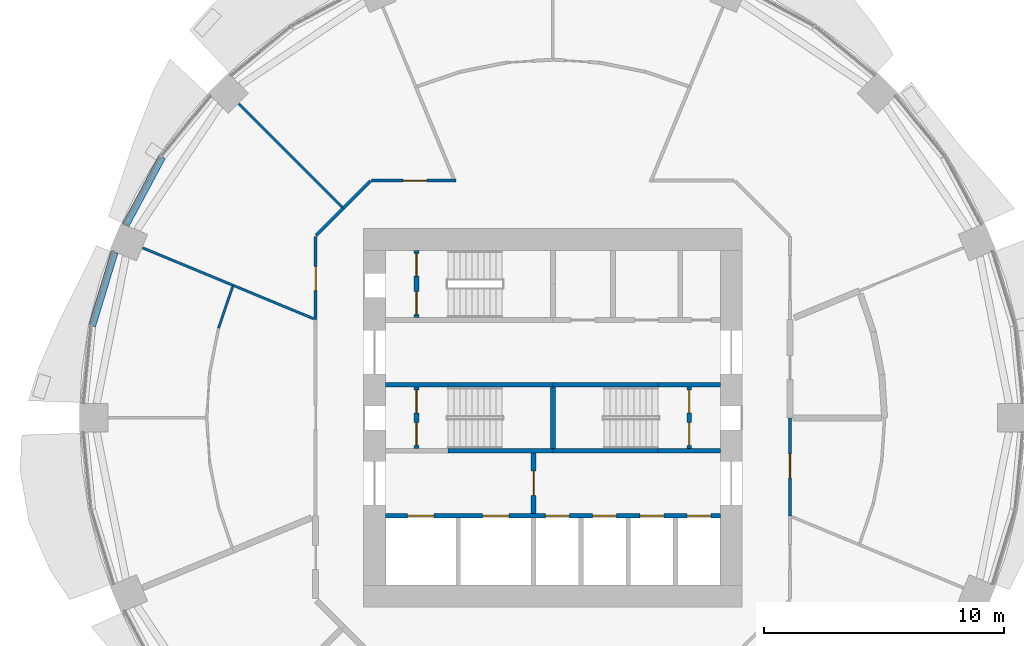
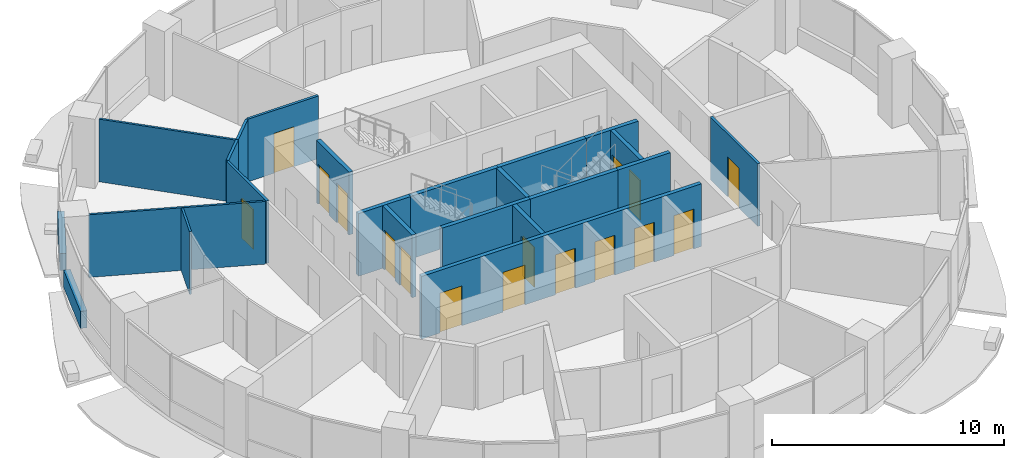
# One storey, part 9 of 15: 24 walls, 16 doors, 16 openings.
"""IFC4 building model written with IfcOpenShell, lengths in metres."""

from ifc_helpers import new_model, si_unit, direction, frame, frame_2d, origin, place, context, subcontext, project, spatial, rectangle, extrude, material, layer, layer_set, type_object, element, fill, save


model = new_model("IFC4")

# Units and contexts
model_context = context("Model", 3, precision=1e-05, world=origin(), true_north=direction((0.0, 1.0)))
body_context = subcontext(model_context, "Body", "Model", "MODEL_VIEW")
ifc_project = project(units=[si_unit("LENGTHUNIT", "METRE"), si_unit("AREAUNIT", "SQUARE_METRE"), si_unit("VOLUMEUNIT", "CUBIC_METRE"), si_unit("PLANEANGLEUNIT", "RADIAN"), si_unit("MASSUNIT", "GRAM", prefix="KILO")], contexts=[model_context])

# Site, building, storey
site_placement = place(None, origin())
site = spatial("IfcSite", under=ifc_project, at=site_placement, CompositionType="ELEMENT")
building_placement = place(site_placement, origin())
building = spatial("IfcBuilding", under=site, at=building_placement, Name="Polderwave Tower", CompositionType="ELEMENT")
storey_placement = place(building_placement, frame((0.0, 0.0, 37.14990234375)))
storey = spatial("IfcBuildingStorey", under=building, at=storey_placement, Name="L09", CompositionType="ELEMENT", Elevation=37.14990234375)

# Walls
ifc_material_1 = material(Name="Concrete C50/60 (board-marked)", Category="concrete")
ifc_layer_1 = layer(ifc_material_1, 0.300048828125)
ifc_layer_set_1 = layer_set([ifc_layer_1], Name="Concrete spandrel upstand C50/60")
wall_type_1 = type_object("IfcWallType", Name="Concrete spandrel upstand C50/60", PredefinedType="SOLIDWALL", material=ifc_layer_set_1)
wall_1_placement = place(storey_placement, frame((-16.27001953125, 10.853759765625, 0.0), z_axis=(0.0, 0.0, 1.0), x_axis=(-0.471284265614, -0.881981372243, 0.0)))
element("IfcWall", 1, at=wall_1_placement, inside=storey, type_object=wall_type_1, Name="Spandrel L09 7b", PredefinedType="SOLIDWALL", context=body_context, shape_type="SweptSolid", body=[
    extrude(rectangle(XDim=3.20361328125, YDim=0.300048828125, at=frame_2d((1.601806640625, 0.0))), origin(), (0.0, 0.0, 1.0), 0.900146484375),
])
wall_2_placement = place(storey_placement, frame((-18.24951171875, 6.89453125, 0.0), z_axis=(0.0, 0.0, 1.0), x_axis=(-0.290472877795, -0.956883225512, 0.0)))
element("IfcWall", 2, at=wall_2_placement, inside=storey, type_object=wall_type_1, Name="Spandrel L09 8a", PredefinedType="SOLIDWALL", context=body_context, shape_type="SweptSolid", body=[
    extrude(rectangle(XDim=3.202392578125, YDim=0.300048828125, at=frame_2d((1.60107421875, 0.0))), origin(), (0.0, 0.0, 1.0), 0.900146484375),
])

# Wall, opening, door
ifc_material_2 = material(Name="Gypsum board partition")
ifc_layer_2 = layer(ifc_material_2, 0.199951171875)
ifc_layer_set_2 = layer_set([ifc_layer_2], Name="Core room partition 200")
wall_type_2 = type_object("IfcWallType", Name="Core room partition 200", PredefinedType="PARTITIONING", material=ifc_layer_set_2)
wall_3_placement = place(storey_placement, frame((-0.800048828125, -3.97412109375, 0.0), z_axis=(0.0, 0.0, 1.0), x_axis=(0.0, 1.0, 0.0)))
wall_3 = element("IfcWall", 3, at=wall_3_placement, inside=storey, type_object=wall_type_2, Name="L09 fire-fighting lobby wall", PredefinedType="PARTITIONING", context=body_context, shape_type="SweptSolid", body=[
    extrude(rectangle(XDim=2.4990234375, YDim=0.199951171875, at=frame_2d((1.24951171875, 0.0))), origin(), (0.0, 0.0, 1.0), 3.300048828125),
])
opening_1_placement = place(wall_3_placement, frame((0.74951171875, 0.0, 0.0)))
opening_1 = element("IfcOpeningElement", 4, at=opening_1_placement, cuts=wall_3, Name="Opening L09-D13", PredefinedType="OPENING", context=body_context, shape_type="SweptSolid", body=[
    extrude(rectangle(XDim=1.0, YDim=2.10009765625, at=frame_2d((0.5, 1.050048828125))), frame((0.0, 0.10986328125, 0.0), z_axis=(0.0, -1.0, 0.0), x_axis=(1.0, 0.0, 0.0)), (0.0, 0.0, 1.0), 0.219970703125),
])
ifc_material_3 = material(Name="Steel fire door", Category="steel")
door_type_1 = type_object("IfcDoorType", Name="Lobby fire door 1000", OperationType="NOTDEFINED", PredefinedType="DOOR", material=ifc_material_3)
door_1_placement = place(opening_1_placement, frame((1.0, 0.0, 0.0), z_axis=(0.0, 0.0, 1.0), x_axis=(-1.0, 0.0, 0.0)))
door_1 = element("IfcDoor", 5, at=door_1_placement, inside=storey, type_object=door_type_1, Name="Fire-fighting lobby door", OperationType="SINGLE_SWING_LEFT", OverallHeight=2.10009765625, OverallWidth=1.0, PredefinedType="DOOR", context=body_context, shape_type="SweptSolid", body=[
    extrude(rectangle(XDim=1.0, YDim=2.10009765625, at=frame_2d((0.5, 1.050048828125))), frame((0.0, 0.02490234375, 0.0), z_axis=(0.0, -1.0, 0.0), x_axis=(1.0, 0.0, 0.0)), (0.0, 0.0, 1.0), 0.050048828125),
])
fill(opening_1, door_1)

# Wall, openings, doors
wall_4_placement = place(storey_placement, frame((-5.674072265625, -1.27490234375, 0.0), z_axis=(0.0, 0.0, 1.0), x_axis=(0.0, 1.0, 0.0)))
wall_4 = element("IfcWall", 6, at=wall_4_placement, inside=storey, type_object=wall_type_2, Name="L09 smoke lobby wall A", PredefinedType="PARTITIONING", context=body_context, shape_type="SweptSolid", body=[
    extrude(rectangle(XDim=2.5498046875, YDim=0.199951171875, at=frame_2d((1.27490234375, 0.0))), origin(), (0.0, 0.0, 1.0), 3.300048828125),
])
opening_2_placement = place(wall_4_placement, frame((0.125, 0.0, 0.0)))
opening_2 = element("IfcOpeningElement", 7, at=opening_2_placement, cuts=wall_4, Name="Opening L09-D07", PredefinedType="OPENING", context=body_context, shape_type="SweptSolid", body=[
    extrude(rectangle(XDim=0.949951171875, YDim=2.10009765625, at=frame_2d((0.47509765625, 1.050048828125))), frame((0.0, 0.10986328125, 0.0), z_axis=(0.0, -1.0, 0.0), x_axis=(1.0, 0.0, 0.0)), (0.0, 0.0, 1.0), 0.219970703125),
])
opening_3_placement = place(wall_4_placement, frame((1.47509765625, 0.0, 0.0)))
opening_3 = element("IfcOpeningElement", 8, at=opening_3_placement, cuts=wall_4, Name="Opening L09-D08", PredefinedType="OPENING", context=body_context, shape_type="SweptSolid", body=[
    extrude(rectangle(XDim=0.949951171875, YDim=2.10009765625, at=frame_2d((0.47509765625, 1.050048828125))), frame((0.0, 0.10986328125, 0.0), z_axis=(0.0, -1.0, 0.0), x_axis=(1.0, 0.0, 0.0)), (0.0, 0.0, 1.0), 0.219970703125),
])
door_type_2 = type_object("IfcDoorType", Name="Smoke lobby door 950", OperationType="NOTDEFINED", PredefinedType="DOOR", material=ifc_material_3)
door_2_placement = place(opening_2_placement, origin())
door_2 = element("IfcDoor", 9, at=door_2_placement, inside=storey, type_object=door_type_2, Name="Stair A smoke lobby inner door", OperationType="SINGLE_SWING_LEFT", OverallHeight=2.10009765625, OverallWidth=0.949951171875, PredefinedType="DOOR", context=body_context, shape_type="SweptSolid", body=[
    extrude(rectangle(XDim=0.949951171875, YDim=2.10009765625, at=frame_2d((0.47509765625, 1.050048828125))), frame((0.0, 0.02490234375, 0.0), z_axis=(0.0, -1.0, 0.0), x_axis=(1.0, 0.0, 0.0)), (0.0, 0.0, 1.0), 0.050048828125),
])
fill(opening_2, door_2)
door_3_placement = place(opening_3_placement, origin())
door_3 = element("IfcDoor", 10, at=door_3_placement, inside=storey, type_object=door_type_2, Name="Stair A smoke lobby inner door", OperationType="SINGLE_SWING_RIGHT", OverallHeight=2.10009765625, OverallWidth=0.949951171875, PredefinedType="DOOR", context=body_context, shape_type="SweptSolid", body=[
    extrude(rectangle(XDim=0.949951171875, YDim=2.10009765625, at=frame_2d((0.47509765625, 1.050048828125))), frame((0.0, 0.02490234375, 0.0), z_axis=(0.0, -1.0, 0.0), x_axis=(1.0, 0.0, 0.0)), (0.0, 0.0, 1.0), 0.050048828125),
])
fill(opening_3, door_3)

wall_5_placement = place(storey_placement, frame((5.674072265625, -1.27490234375, 0.0), z_axis=(0.0, 0.0, 1.0), x_axis=(0.0, 1.0, 0.0)))
wall_5 = element("IfcWall", 11, at=wall_5_placement, inside=storey, type_object=wall_type_2, Name="L09 smoke lobby wall B", PredefinedType="PARTITIONING", context=body_context, shape_type="SweptSolid", body=[
    extrude(rectangle(XDim=2.5498046875, YDim=0.199951171875, at=frame_2d((1.27490234375, 0.0))), origin(), (0.0, 0.0, 1.0), 3.300048828125),
])
opening_4_placement = place(wall_5_placement, frame((0.125, 0.0, 0.0)))
opening_4 = element("IfcOpeningElement", 12, at=opening_4_placement, cuts=wall_5, Name="Opening L09-D09", PredefinedType="OPENING", context=body_context, shape_type="SweptSolid", body=[
    extrude(rectangle(XDim=0.949951171875, YDim=2.10009765625, at=frame_2d((0.47509765625, 1.050048828125))), frame((0.0, 0.10986328125, 0.0), z_axis=(0.0, -1.0, 0.0), x_axis=(1.0, 0.0, 0.0)), (0.0, 0.0, 1.0), 0.219970703125),
])
opening_5_placement = place(wall_5_placement, frame((1.47509765625, 0.0, 0.0)))
opening_5 = element("IfcOpeningElement", 13, at=opening_5_placement, cuts=wall_5, Name="Opening L09-D10", PredefinedType="OPENING", context=body_context, shape_type="SweptSolid", body=[
    extrude(rectangle(XDim=0.949951171875, YDim=2.10009765625, at=frame_2d((0.47509765625, 1.050048828125))), frame((0.0, 0.10986328125, 0.0), z_axis=(0.0, -1.0, 0.0), x_axis=(1.0, 0.0, 0.0)), (0.0, 0.0, 1.0), 0.219970703125),
])
door_4_placement = place(opening_4_placement, frame((0.949951171875, 0.0, 0.0), z_axis=(0.0, 0.0, 1.0), x_axis=(-1.0, 0.0, 0.0)))
door_4 = element("IfcDoor", 14, at=door_4_placement, inside=storey, type_object=door_type_2, Name="Stair B smoke lobby inner door", OperationType="SINGLE_SWING_RIGHT", OverallHeight=2.10009765625, OverallWidth=0.949951171875, PredefinedType="DOOR", context=body_context, shape_type="SweptSolid", body=[
    extrude(rectangle(XDim=0.949951171875, YDim=2.10009765625, at=frame_2d((0.47509765625, 1.050048828125))), frame((0.0, 0.02490234375, 0.0), z_axis=(0.0, -1.0, 0.0), x_axis=(1.0, 0.0, 0.0)), (0.0, 0.0, 1.0), 0.050048828125),
])
fill(opening_4, door_4)
door_5_placement = place(opening_5_placement, frame((0.949951171875, 0.0, 0.0), z_axis=(0.0, 0.0, 1.0), x_axis=(-1.0, 0.0, 0.0)))
door_5 = element("IfcDoor", 15, at=door_5_placement, inside=storey, type_object=door_type_2, Name="Stair B smoke lobby inner door", OperationType="SINGLE_SWING_LEFT", OverallHeight=2.10009765625, OverallWidth=0.949951171875, PredefinedType="DOOR", context=body_context, shape_type="SweptSolid", body=[
    extrude(rectangle(XDim=0.949951171875, YDim=2.10009765625, at=frame_2d((0.47509765625, 1.050048828125))), frame((0.0, 0.02490234375, 0.0), z_axis=(0.0, -1.0, 0.0), x_axis=(1.0, 0.0, 0.0)), (0.0, 0.0, 1.0), 0.050048828125),
])
fill(opening_5, door_5)

wall_6_placement = place(storey_placement, frame((-5.674072265625, 4.174072265625, 0.0), z_axis=(0.0, 0.0, 1.0), x_axis=(0.0, 1.0, 0.0)))
wall_6 = element("IfcWall", 16, at=wall_6_placement, inside=storey, type_object=wall_type_2, Name="L09 smoke lobby wall C", PredefinedType="PARTITIONING", context=body_context, shape_type="SweptSolid", body=[
    extrude(rectangle(XDim=2.800048828125, YDim=0.199951171875, at=frame_2d((1.39990234375, 0.0))), origin(), (0.0, 0.0, 1.0), 3.300048828125),
])
opening_6_placement = place(wall_6_placement, frame((0.125, 0.0, 0.0)))
opening_6 = element("IfcOpeningElement", 17, at=opening_6_placement, cuts=wall_6, Name="Opening L09-D11", PredefinedType="OPENING", context=body_context, shape_type="SweptSolid", body=[
    extrude(rectangle(XDim=0.949951171875, YDim=2.10009765625, at=frame_2d((0.47509765625, 1.050048828125))), frame((0.0, 0.10986328125, 0.0), z_axis=(0.0, -1.0, 0.0), x_axis=(1.0, 0.0, 0.0)), (0.0, 0.0, 1.0), 0.219970703125),
])
opening_7_placement = place(wall_6_placement, frame((1.72509765625, 0.0, 0.0)))
opening_7 = element("IfcOpeningElement", 18, at=opening_7_placement, cuts=wall_6, Name="Opening L09-D12", PredefinedType="OPENING", context=body_context, shape_type="SweptSolid", body=[
    extrude(rectangle(XDim=0.949951171875, YDim=2.10009765625, at=frame_2d((0.47509765625, 1.050048828125))), frame((0.0, 0.10986328125, 0.0), z_axis=(0.0, -1.0, 0.0), x_axis=(1.0, 0.0, 0.0)), (0.0, 0.0, 1.0), 0.219970703125),
])
door_6_placement = place(opening_6_placement, origin())
door_6 = element("IfcDoor", 19, at=door_6_placement, inside=storey, type_object=door_type_2, Name="Stair C smoke lobby inner door", OperationType="SINGLE_SWING_LEFT", OverallHeight=2.10009765625, OverallWidth=0.949951171875, PredefinedType="DOOR", context=body_context, shape_type="SweptSolid", body=[
    extrude(rectangle(XDim=0.949951171875, YDim=2.10009765625, at=frame_2d((0.47509765625, 1.050048828125))), frame((0.0, 0.02490234375, 0.0), z_axis=(0.0, -1.0, 0.0), x_axis=(1.0, 0.0, 0.0)), (0.0, 0.0, 1.0), 0.050048828125),
])
fill(opening_6, door_6)
door_7_placement = place(opening_7_placement, origin())
door_7 = element("IfcDoor", 20, at=door_7_placement, inside=storey, type_object=door_type_2, Name="Stair C smoke lobby inner door", OperationType="SINGLE_SWING_RIGHT", OverallHeight=2.10009765625, OverallWidth=0.949951171875, PredefinedType="DOOR", context=body_context, shape_type="SweptSolid", body=[
    extrude(rectangle(XDim=0.949951171875, YDim=2.10009765625, at=frame_2d((0.47509765625, 1.050048828125))), frame((0.0, 0.02490234375, 0.0), z_axis=(0.0, -1.0, 0.0), x_axis=(1.0, 0.0, 0.0)), (0.0, 0.0, 1.0), 0.050048828125),
])
fill(opening_7, door_7)

ifc_material_4 = material(Name="Concrete C50/60", Category="concrete")
ifc_layer_3 = layer(ifc_material_4, 0.199951171875)
ifc_layer_set_3 = layer_set([ifc_layer_3], Name="Core web wall 200")
wall_type_3 = type_object("IfcWallType", Name="Core web wall 200", PredefinedType="SHEAR", material=ifc_layer_set_3)
wall_7_placement = place(storey_placement, frame((-6.97412109375, -4.073974609375, 0.0), z_axis=(0.0, 0.0, 1.0), x_axis=(1.0, 0.0, 0.0)))
wall_7 = element("IfcWall", 21, at=wall_7_placement, inside=storey, type_object=wall_type_3, Name="L09 south front wall", PredefinedType="SHEAR", context=body_context, shape_type="SweptSolid", body=[
    extrude(rectangle(XDim=13.9482421875, YDim=0.199951171875, at=frame_2d((6.97412109375, 0.0))), origin(), (0.0, 0.0, 1.0), 3.300048828125),
])
opening_8_placement = place(wall_7_placement, frame((0.91845703125, 0.0, 0.0)))
opening_8 = element("IfcOpeningElement", 22, at=opening_8_placement, cuts=wall_7, Name="Opening L09-D01", PredefinedType="OPENING", context=body_context, shape_type="SweptSolid", body=[
    extrude(rectangle(XDim=1.10009765625, YDim=2.10009765625, at=frame_2d((0.550048828125, 1.050048828125))), frame((0.0, 0.10986328125, 0.0), z_axis=(0.0, -1.0, 0.0), x_axis=(1.0, 0.0, 0.0)), (0.0, 0.0, 1.0), 0.219970703125),
])
opening_9_placement = place(wall_7_placement, frame((4.055419921875, 0.0, 0.0)))
opening_9 = element("IfcOpeningElement", 23, at=opening_9_placement, cuts=wall_7, Name="Opening L09-D02", PredefinedType="OPENING", context=body_context, shape_type="SweptSolid", body=[
    extrude(rectangle(XDim=1.10009765625, YDim=2.10009765625, at=frame_2d((0.550048828125, 1.050048828125))), frame((0.0, 0.10986328125, 0.0), z_axis=(0.0, -1.0, 0.0), x_axis=(1.0, 0.0, 0.0)), (0.0, 0.0, 1.0), 0.219970703125),
])
opening_10_placement = place(wall_7_placement, frame((6.658203125, 0.0, 0.0)))
opening_10 = element("IfcOpeningElement", 24, at=opening_10_placement, cuts=wall_7, Name="Opening L09-D03", PredefinedType="OPENING", context=body_context, shape_type="SweptSolid", body=[
    extrude(rectangle(XDim=1.0, YDim=2.10009765625, at=frame_2d((0.5, 1.050048828125))), frame((0.0, 0.10986328125, 0.0), z_axis=(0.0, -1.0, 0.0), x_axis=(1.0, 0.0, 0.0)), (0.0, 0.0, 1.0), 0.219970703125),
])
opening_11_placement = place(wall_7_placement, frame((8.626708984375, 0.0, 0.0)))
opening_11 = element("IfcOpeningElement", 25, at=opening_11_placement, cuts=wall_7, Name="Opening L09-D04", PredefinedType="OPENING", context=body_context, shape_type="SweptSolid", body=[
    extrude(rectangle(XDim=1.0, YDim=2.10009765625, at=frame_2d((0.5, 1.050048828125))), frame((0.0, 0.10986328125, 0.0), z_axis=(0.0, -1.0, 0.0), x_axis=(1.0, 0.0, 0.0)), (0.0, 0.0, 1.0), 0.219970703125),
])
opening_12_placement = place(wall_7_placement, frame((10.59521484375, 0.0, 0.0)))
opening_12 = element("IfcOpeningElement", 26, at=opening_12_placement, cuts=wall_7, Name="Opening L09-D05", PredefinedType="OPENING", context=body_context, shape_type="SweptSolid", body=[
    extrude(rectangle(XDim=1.0, YDim=2.10009765625, at=frame_2d((0.5, 1.050048828125))), frame((0.0, 0.10986328125, 0.0), z_axis=(0.0, -1.0, 0.0), x_axis=(1.0, 0.0, 0.0)), (0.0, 0.0, 1.0), 0.219970703125),
])
opening_13_placement = place(wall_7_placement, frame((12.563720703125, 0.0, 0.0)))
opening_13 = element("IfcOpeningElement", 27, at=opening_13_placement, cuts=wall_7, Name="Opening L09-D06", PredefinedType="OPENING", context=body_context, shape_type="SweptSolid", body=[
    extrude(rectangle(XDim=1.0, YDim=2.10009765625, at=frame_2d((0.5, 1.050048828125))), frame((0.0, 0.10986328125, 0.0), z_axis=(0.0, -1.0, 0.0), x_axis=(1.0, 0.0, 0.0)), (0.0, 0.0, 1.0), 0.219970703125),
])
ifc_material_5 = material(Name="Stainless steel", Category="steel")
door_type_3 = type_object("IfcDoorType", Name="Fire-fighting lift landing door 1100", OperationType="DOUBLE_DOOR_SLIDING", PredefinedType="DOOR", material=ifc_material_5)
door_8_placement = place(opening_8_placement, origin())
door_8 = element("IfcDoor", 28, at=door_8_placement, inside=storey, type_object=door_type_3, Name="Fire-fighting lift FF1 landing door", OperationType="DOUBLE_DOOR_SLIDING", OverallHeight=2.10009765625, OverallWidth=1.10009765625, PredefinedType="DOOR", context=body_context, shape_type="SweptSolid", body=[
    extrude(rectangle(XDim=1.10009765625, YDim=2.10009765625, at=frame_2d((0.550048828125, 1.050048828125))), frame((0.0, 0.02490234375, 0.0), z_axis=(0.0, -1.0, 0.0), x_axis=(1.0, 0.0, 0.0)), (0.0, 0.0, 1.0), 0.050048828125),
])
fill(opening_8, door_8)
door_9_placement = place(opening_9_placement, origin())
door_9 = element("IfcDoor", 29, at=door_9_placement, inside=storey, type_object=door_type_3, Name="Fire-fighting lift FF2 landing door", OperationType="DOUBLE_DOOR_SLIDING", OverallHeight=2.10009765625, OverallWidth=1.10009765625, PredefinedType="DOOR", context=body_context, shape_type="SweptSolid", body=[
    extrude(rectangle(XDim=1.10009765625, YDim=2.10009765625, at=frame_2d((0.550048828125, 1.050048828125))), frame((0.0, 0.02490234375, 0.0), z_axis=(0.0, -1.0, 0.0), x_axis=(1.0, 0.0, 0.0)), (0.0, 0.0, 1.0), 0.050048828125),
])
fill(opening_9, door_9)
door_type_4 = type_object("IfcDoorType", Name="Lift landing door 1000", OperationType="DOUBLE_DOOR_SLIDING", PredefinedType="DOOR", material=ifc_material_5)
door_10_placement = place(opening_10_placement, origin())
door_10 = element("IfcDoor", 30, at=door_10_placement, inside=storey, type_object=door_type_4, Name="Lift LL1 landing door", OperationType="DOUBLE_DOOR_SLIDING", OverallHeight=2.10009765625, OverallWidth=1.0, PredefinedType="DOOR", context=body_context, shape_type="SweptSolid", body=[
    extrude(rectangle(XDim=1.0, YDim=2.10009765625, at=frame_2d((0.5, 1.050048828125))), frame((0.0, 0.02490234375, 0.0), z_axis=(0.0, -1.0, 0.0), x_axis=(1.0, 0.0, 0.0)), (0.0, 0.0, 1.0), 0.050048828125),
])
fill(opening_10, door_10)
door_11_placement = place(opening_11_placement, origin())
door_11 = element("IfcDoor", 31, at=door_11_placement, inside=storey, type_object=door_type_4, Name="Lift LL2 landing door", OperationType="DOUBLE_DOOR_SLIDING", OverallHeight=2.10009765625, OverallWidth=1.0, PredefinedType="DOOR", context=body_context, shape_type="SweptSolid", body=[
    extrude(rectangle(XDim=1.0, YDim=2.10009765625, at=frame_2d((0.5, 1.050048828125))), frame((0.0, 0.02490234375, 0.0), z_axis=(0.0, -1.0, 0.0), x_axis=(1.0, 0.0, 0.0)), (0.0, 0.0, 1.0), 0.050048828125),
])
fill(opening_11, door_11)
door_12_placement = place(opening_12_placement, origin())
door_12 = element("IfcDoor", 32, at=door_12_placement, inside=storey, type_object=door_type_4, Name="Lift LL3 landing door", OperationType="DOUBLE_DOOR_SLIDING", OverallHeight=2.10009765625, OverallWidth=1.0, PredefinedType="DOOR", context=body_context, shape_type="SweptSolid", body=[
    extrude(rectangle(XDim=1.0, YDim=2.10009765625, at=frame_2d((0.5, 1.050048828125))), frame((0.0, 0.02490234375, 0.0), z_axis=(0.0, -1.0, 0.0), x_axis=(1.0, 0.0, 0.0)), (0.0, 0.0, 1.0), 0.050048828125),
])
fill(opening_12, door_12)
door_13_placement = place(opening_13_placement, origin())
door_13 = element("IfcDoor", 33, at=door_13_placement, inside=storey, type_object=door_type_4, Name="Lift LL4 landing door", OperationType="DOUBLE_DOOR_SLIDING", OverallHeight=2.10009765625, OverallWidth=1.0, PredefinedType="DOOR", context=body_context, shape_type="SweptSolid", body=[
    extrude(rectangle(XDim=1.0, YDim=2.10009765625, at=frame_2d((0.5, 1.050048828125))), frame((0.0, 0.02490234375, 0.0), z_axis=(0.0, -1.0, 0.0), x_axis=(1.0, 0.0, 0.0)), (0.0, 0.0, 1.0), 0.050048828125),
])
fill(opening_13, door_13)

# Walls
for number, where, z_axis, x_axis, name in (
    (34, (-4.3740234375, -1.375, 0.0), (0.0, 0.0, 1.0), (1.0, 0.0, 0.0), "L09 south stair wall 2"),
    (35, (0.0, -1.375, 0.0), (0.0, 0.0, 1.0), (1.0, 0.0, 0.0), "L09 south stair wall 3"),
):
    element("IfcWall", number, at=place(storey_placement, frame(where, z_axis=z_axis, x_axis=x_axis)), inside=storey, type_object=wall_type_3, Name=name, PredefinedType="SHEAR", context=body_context, shape_type="SweptSolid", body=[
        extrude(rectangle(XDim=4.3740234375, YDim=0.199951171875, at=frame_2d((2.18701171875, 0.0))), origin(), (0.0, 0.0, 1.0), 3.300048828125),
    ])
for number, where, z_axis, x_axis, name in (
    (36, (4.3740234375, -1.375, 0.0), (0.0, 0.0, 1.0), (1.0, 0.0, 0.0), "L09 south stair wall 4"),
    (37, (-6.97412109375, 1.375, 0.0), (0.0, 0.0, 1.0), (1.0, 0.0, 0.0), "L09 north stair wall 1"),
):
    element("IfcWall", number, at=place(storey_placement, frame(where, z_axis=z_axis, x_axis=x_axis)), inside=storey, type_object=wall_type_3, Name=name, PredefinedType="SHEAR", context=body_context, shape_type="SweptSolid", body=[
        extrude(rectangle(XDim=2.60009765625, YDim=0.199951171875, at=frame_2d((1.300048828125, 0.0))), origin(), (0.0, 0.0, 1.0), 3.300048828125),
    ])
for number, where, z_axis, x_axis, name in (
    (38, (-4.3740234375, 1.375, 0.0), (0.0, 0.0, 1.0), (1.0, 0.0, 0.0), "L09 north stair wall 2"),
    (39, (0.0, 1.375, 0.0), (0.0, 0.0, 1.0), (1.0, 0.0, 0.0), "L09 north stair wall 3"),
):
    element("IfcWall", number, at=place(storey_placement, frame(where, z_axis=z_axis, x_axis=x_axis)), inside=storey, type_object=wall_type_3, Name=name, PredefinedType="SHEAR", context=body_context, shape_type="SweptSolid", body=[
        extrude(rectangle(XDim=4.3740234375, YDim=0.199951171875, at=frame_2d((2.18701171875, 0.0))), origin(), (0.0, 0.0, 1.0), 3.300048828125),
    ])
wall_8_placement = place(storey_placement, frame((4.3740234375, 1.375, 0.0), z_axis=(0.0, 0.0, 1.0), x_axis=(1.0, 0.0, 0.0)))
element("IfcWall", 40, at=wall_8_placement, inside=storey, type_object=wall_type_3, Name="L09 north stair wall 4", PredefinedType="SHEAR", context=body_context, shape_type="SweptSolid", body=[
    extrude(rectangle(XDim=2.60009765625, YDim=0.199951171875, at=frame_2d((1.300048828125, 0.0))), origin(), (0.0, 0.0, 1.0), 3.300048828125),
])
wall_9_placement = place(storey_placement, frame((0.0, -1.27490234375, 0.0), z_axis=(0.0, 0.0, 1.0), x_axis=(0.0, 1.0, 0.0)))
element("IfcWall", 41, at=wall_9_placement, inside=storey, type_object=wall_type_3, Name="L09 wall between the stairs", PredefinedType="SHEAR", context=body_context, shape_type="SweptSolid", body=[
    extrude(rectangle(XDim=2.5498046875, YDim=0.199951171875, at=frame_2d((1.27490234375, 0.0))), origin(), (0.0, 0.0, 1.0), 3.300048828125),
])

# Wall, opening, door
ifc_material_6 = material(Name="Fire-resisting board on steel studs", Category="steel")
ifc_layer_4 = layer(ifc_material_6, 0.125)
ifc_layer_set_4 = layer_set([ifc_layer_4], Name="Corridor wall 125 mm EI 60")
wall_type_4 = type_object("IfcWallType", Name="Corridor wall 125 mm EI 60", PredefinedType="PARTITIONING", material=ifc_layer_set_4)
wall_10_placement = place(storey_placement, frame((9.8740234375, 0.0, 0.0), z_axis=(0.0, 0.0, 1.0), x_axis=(0.0, -1.0, 0.0)))
wall_10 = element("IfcWall", 42, at=wall_10_placement, inside=storey, type_object=wall_type_4, Name="IN-L09-W006", PredefinedType="PARTITIONING", context=body_context, shape_type="SweptSolid", body=[
    extrude(rectangle(XDim=4.08984375, YDim=0.125, at=frame_2d((2.044921875, 0.0))), origin(), (0.0, 0.0, 1.0), 3.300048828125),
])
opening_14_placement = place(wall_10_placement, frame((1.5, 0.0, 0.0)))
opening_14 = element("IfcOpeningElement", 43, at=opening_14_placement, cuts=wall_10, Name="Opening L09-D53", PredefinedType="OPENING", context=body_context, shape_type="SweptSolid", body=[
    extrude(rectangle(XDim=1.0, YDim=2.10009765625, at=frame_2d((0.5, 1.050048828125))), frame((0.0, 0.072509765625, 0.0), z_axis=(0.0, -1.0, 0.0), x_axis=(1.0, 0.0, 0.0)), (0.0, 0.0, 1.0), 0.14501953125),
])
ifc_material_7 = material(Name="Timber fire door leaf", Category="wood")
door_type_5 = type_object("IfcDoorType", Name="Fire door FD30S 1000 x 2100", OperationType="NOTDEFINED", PredefinedType="DOOR", material=ifc_material_7)
door_14_placement = place(opening_14_placement, origin())
door_14 = element("IfcDoor", 44, at=door_14_placement, inside=storey, type_object=door_type_5, Name="Door L09-D53", OperationType="SINGLE_SWING_LEFT", OverallHeight=2.10009765625, OverallWidth=1.0, PredefinedType="DOOR", context=body_context, shape_type="SweptSolid", body=[
    extrude(rectangle(XDim=1.0, YDim=2.10009765625, at=frame_2d((0.5, 1.050048828125))), frame((0.0, 0.02490234375, 0.0), z_axis=(0.0, -1.0, 0.0), x_axis=(1.0, 0.0, 0.0)), (0.0, 0.0, 1.0), 0.050048828125),
])
fill(opening_14, door_14)

# Wall
wall_11_placement = place(storey_placement, frame((-8.722412109375, 8.722412109375, 0.0), z_axis=(0.0, 0.0, 1.0), x_axis=(0.707030604857, 0.70718294931, 0.0)))
element("IfcWall", 45, at=wall_11_placement, inside=storey, type_object=wall_type_4, Name="IN-L09-W009", PredefinedType="PARTITIONING", context=body_context, shape_type="SweptSolid", body=[
    extrude(rectangle(XDim=1.6025390625, YDim=0.125, at=frame_2d((0.80126953125, 0.0))), origin(), (0.0, 0.0, 1.0), 3.300048828125),
])

# Wall, opening, door
wall_12_placement = place(storey_placement, frame((-7.545166015625, 9.8740234375, 0.0), z_axis=(0.0, 0.0, 1.0), x_axis=(1.0, 0.0, 0.0)))
wall_12 = element("IfcWall", 46, at=wall_12_placement, inside=storey, type_object=wall_type_4, Name="IN-L09-W010", PredefinedType="PARTITIONING", context=body_context, shape_type="SweptSolid", body=[
    extrude(rectangle(XDim=3.517822265625, YDim=0.125, at=frame_2d((1.7587890625, 0.0))), origin(), (0.0, 0.0, 1.0), 3.300048828125),
])
opening_15_placement = place(wall_12_placement, frame((1.300048828125, 0.0, 0.0)))
opening_15 = element("IfcOpeningElement", 47, at=opening_15_placement, cuts=wall_12, Name="Opening L09-D54", PredefinedType="OPENING", context=body_context, shape_type="SweptSolid", body=[
    extrude(rectangle(XDim=1.0, YDim=2.10009765625, at=frame_2d((0.5, 1.050048828125))), frame((0.0, 0.072509765625, 0.0), z_axis=(0.0, -1.0, 0.0), x_axis=(1.0, 0.0, 0.0)), (0.0, 0.0, 1.0), 0.14501953125),
])
door_15_placement = place(opening_15_placement, origin())
door_15 = element("IfcDoor", 48, at=door_15_placement, inside=storey, type_object=door_type_5, Name="Door L09-D54", OperationType="SINGLE_SWING_RIGHT", OverallHeight=2.10009765625, OverallWidth=1.0, PredefinedType="DOOR", context=body_context, shape_type="SweptSolid", body=[
    extrude(rectangle(XDim=1.0, YDim=2.10009765625, at=frame_2d((0.5, 1.050048828125))), frame((0.0, 0.02490234375, 0.0), z_axis=(0.0, -1.0, 0.0), x_axis=(1.0, 0.0, 0.0)), (0.0, 0.0, 1.0), 0.050048828125),
])
fill(opening_15, door_15)

wall_13_placement = place(storey_placement, frame((-9.8740234375, 4.08984375, 0.0), z_axis=(0.0, 0.0, 1.0), x_axis=(0.0, 1.0, 0.0)))
wall_13 = element("IfcWall", 49, at=wall_13_placement, inside=storey, type_object=wall_type_4, Name="IN-L09-W011", PredefinedType="PARTITIONING", context=body_context, shape_type="SweptSolid", body=[
    extrude(rectangle(XDim=3.455322265625, YDim=0.125, at=frame_2d((1.7275390625, 0.0))), origin(), (0.0, 0.0, 1.0), 3.300048828125),
])
opening_16_placement = place(wall_13_placement, frame((1.199951171875, 0.0, 0.0)))
opening_16 = element("IfcOpeningElement", 50, at=opening_16_placement, cuts=wall_13, Name="Opening L09-D55", PredefinedType="OPENING", context=body_context, shape_type="SweptSolid", body=[
    extrude(rectangle(XDim=1.0, YDim=2.10009765625, at=frame_2d((0.5, 1.050048828125))), frame((0.0, 0.072509765625, 0.0), z_axis=(0.0, -1.0, 0.0), x_axis=(1.0, 0.0, 0.0)), (0.0, 0.0, 1.0), 0.14501953125),
])
door_16_placement = place(opening_16_placement, origin())
door_16 = element("IfcDoor", 51, at=door_16_placement, inside=storey, type_object=door_type_5, Name="Door L09-D55", OperationType="SINGLE_SWING_LEFT", OverallHeight=2.10009765625, OverallWidth=1.0, PredefinedType="DOOR", context=body_context, shape_type="SweptSolid", body=[
    extrude(rectangle(XDim=1.0, YDim=2.10009765625, at=frame_2d((0.5, 1.050048828125))), frame((0.0, 0.02490234375, 0.0), z_axis=(0.0, -1.0, 0.0), x_axis=(1.0, 0.0, 0.0)), (0.0, 0.0, 1.0), 0.050048828125),
])
fill(opening_16, door_16)

# Walls
wall_14_placement = place(storey_placement, frame((-9.855712890625, 7.58935546875, 0.0), z_axis=(0.0, 0.0, 1.0), x_axis=(0.70718294931, 0.707030604857, 0.0)))
element("IfcWall", 52, at=wall_14_placement, inside=storey, type_object=wall_type_4, Name="IN-L09-W012", PredefinedType="PARTITIONING", context=body_context, shape_type="SweptSolid", body=[
    extrude(rectangle(XDim=1.6025390625, YDim=0.125, at=frame_2d((0.80126953125, 0.0))), origin(), (0.0, 0.0, 1.0), 3.300048828125),
])
ifc_material_8 = material(Name="Plasterboard on steel studs", Category="steel")
ifc_layer_5 = layer(ifc_material_8, 0.10009765625)
ifc_layer_set_5 = layer_set([ifc_layer_5], Name="Partition 100 mm plasterboard on steel studs")
wall_type_5 = type_object("IfcWallType", Name="Partition 100 mm plasterboard on steel studs", PredefinedType="PARTITIONING", material=ifc_layer_set_5)
wall_15_placement = place(storey_placement, frame((-13.3310546875, 5.46142578125, 0.0), z_axis=(0.0, 0.0, 1.0), x_axis=(-0.321478362794, -0.946916924685, 0.0)))
element("IfcWall", 53, at=wall_15_placement, inside=storey, type_object=wall_type_5, Name="IN-L09-W047", PredefinedType="PARTITIONING", context=body_context, shape_type="SweptSolid", body=[
    extrude(rectangle(XDim=1.82568359375, YDim=0.10009765625, at=frame_2d((0.912841796875, 0.0))), origin(), (0.0, 0.0, 1.0), 3.300048828125),
])
ifc_material_9 = material(Name="Moisture-resistant board on steel studs, tiled", Category="steel")
ifc_layer_6 = layer(ifc_material_9, 0.10498046875)
ifc_layer_set_6 = layer_set([ifc_layer_6], Name="Partition 105 mm wet room board and tile")
wall_type_6 = type_object("IfcWallType", Name="Partition 105 mm wet room board and tile", PredefinedType="PARTITIONING", material=ifc_layer_set_6)
wall_16_placement = place(storey_placement, frame((-8.7666015625, 8.7666015625, 0.0), z_axis=(0.0, 0.0, 1.0), x_axis=(-0.707106781187, 0.707106781187, 0.0)))
element("IfcWall", 54, at=wall_16_placement, inside=storey, type_object=wall_type_6, Name="IN-L09-W042", PredefinedType="PARTITIONING", context=body_context, shape_type="SweptSolid", body=[
    extrude(rectangle(XDim=6.082275390625, YDim=0.10498046875, at=frame_2d((3.041015625, 0.0))), origin(), (0.0, 0.0, 1.0), 3.300048828125),
])
wall_17_placement = place(storey_placement, frame((-13.31298828125, 5.514404296875, 0.0), z_axis=(0.0, 0.0, 1.0), x_axis=(-0.923873536763, 0.382697907061, 0.0)))
element("IfcWall", 55, at=wall_17_placement, inside=storey, type_object=wall_type_6, Name="IN-L09-W043", PredefinedType="PARTITIONING", context=body_context, shape_type="SweptSolid", body=[
    extrude(rectangle(XDim=4.070068359375, YDim=0.10498046875, at=frame_2d((2.03515625, 0.0))), origin(), (0.0, 0.0, 1.0), 3.300048828125),
])
wall_18_placement = place(storey_placement, frame((-9.95654296875, 4.1240234375, 0.0), z_axis=(0.0, 0.0, 1.0), x_axis=(-0.923870220065, 0.382705913825, 0.0)))
element("IfcWall", 56, at=wall_18_placement, inside=storey, type_object=wall_type_6, Name="IN-L09-W044", PredefinedType="PARTITIONING", context=body_context, shape_type="SweptSolid", body=[
    extrude(rectangle(XDim=3.633056640625, YDim=0.10498046875, at=frame_2d((1.81640625, 0.0))), origin(), (0.0, 0.0, 1.0), 3.300048828125),
])

save(model, "model.ifc")
